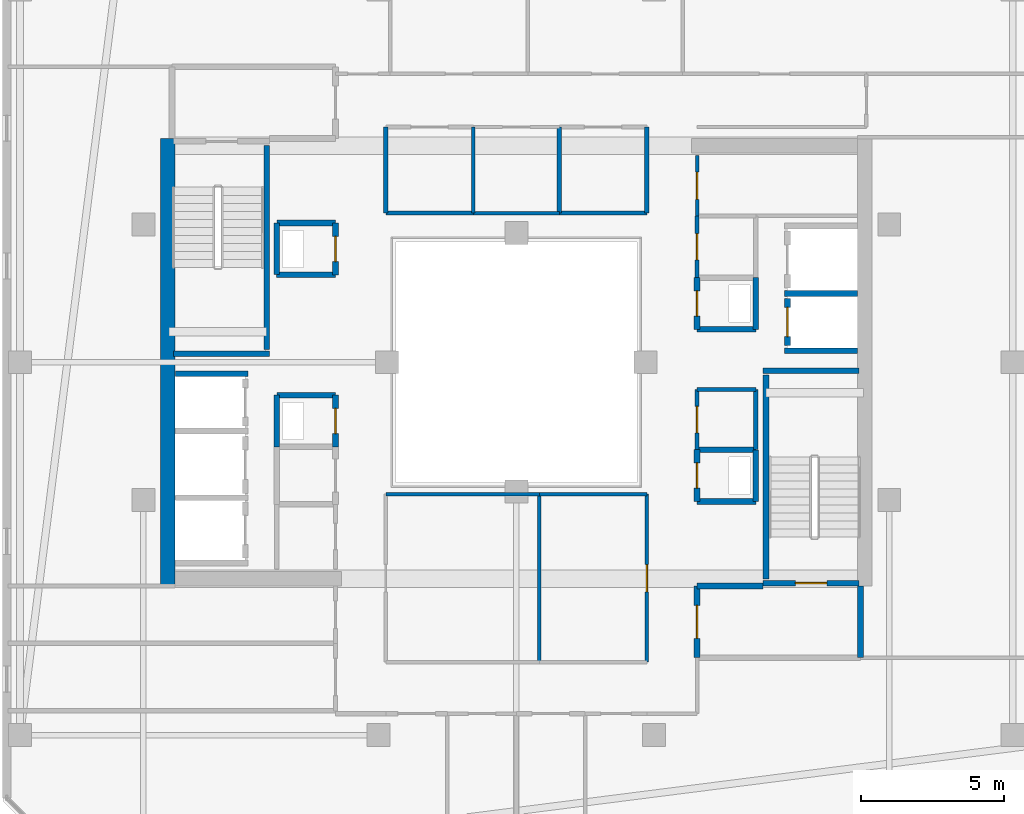
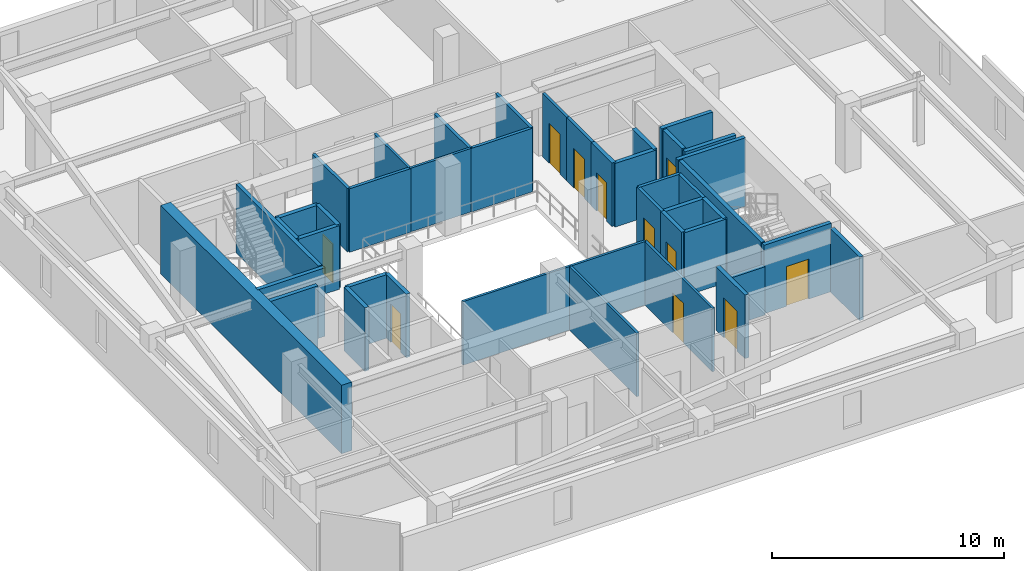
# One storey, part 26 of 35: 43 walls, 11 doors, 11 openings.
"""IFC4 building model written with IfcOpenShell, lengths in metres."""

import ifcopenshell
import ifcopenshell.guid

model = None  # the IFC model being written
_history = None  # IfcOwnerHistory: only IFC2X3 demands one
_inside = {}  # id of a spatial element -> (the spatial element, [elements in it])
_under = {}  # id of a project, library or spatial element -> (it, [spatial elements below it])
_declared = {}  # id of a project -> (the project, [libraries it declares])
_typed = {}  # id of a type object -> (the type object, [elements of that type])
_made_of = {}  # id of a material, layer set ... -> (it, [elements and type objects made of it])


def new_model(schema):
    """Start an empty IFC model of exactly this schema.

    Asked for "IFC4X3", IfcOpenShell would pick the latest addendum, in which some entities
    have other attributes; the version numbers below select the first issue.
    IFC2X3 requires an IfcOwnerHistory on every rooted entity: one is made here for all.
    """
    global model, _history
    if schema == "IFC4X3":
        model = ifcopenshell.file(schema_version=(4, 3, 0, 0))
    else:
        model = ifcopenshell.file(schema=schema)
    _inside.clear()
    _under.clear()
    _declared.clear()
    _typed.clear()
    _made_of.clear()
    _history = None
    if model.schema == "IFC2X3":
        org = make("IfcOrganization", Name="unknown")
        user = make(
            "IfcPersonAndOrganization",
            ThePerson=make("IfcPerson", FamilyName="unknown"),
            TheOrganization=org,
        )
        app = make(
            "IfcApplication",
            ApplicationDeveloper=org,
            Version="unknown",
            ApplicationFullName="unknown",
            ApplicationIdentifier="unknown",
        )
        _history = make(
            "IfcOwnerHistory",
            OwningUser=user,
            OwningApplication=app,
            ChangeAction="ADDED",
            CreationDate=0,
        )
    return model


def make(cls, **values):
    """One entity of the class cls with the attributes given. An attribute that is None is left unset."""
    return model.create_entity(
        cls, **{name: value for name, value in values.items() if value is not None}
    )


def rooted(cls, **values):
    """An entity with a GlobalId (a new one), such as an element, a storey or a relation."""
    return make(cls, GlobalId=ifcopenshell.guid.new(), OwnerHistory=_history, **values)


def si_unit(unit_type, name, prefix=None):
    """IfcSIUnit, for example si_unit("LENGTHUNIT", "METRE", prefix="MILLI")."""
    return make("IfcSIUnit", UnitType=unit_type, Prefix=prefix, Name=name)


def assignment(units):
    """IfcUnitAssignment: the units of a project."""
    return None if units is None else make("IfcUnitAssignment", Units=units)


def point(xyz):
    """IfcCartesianPoint."""
    return None if xyz is None else make("IfcCartesianPoint", Coordinates=xyz)


def direction(xyz):
    """IfcDirection."""
    return None if xyz is None else make("IfcDirection", DirectionRatios=xyz)


def frame(location, z_axis=None, x_axis=None):
    """IfcAxis2Placement3D, a coordinate frame: its origin and axes. An axis left out is left unset."""
    return make(
        "IfcAxis2Placement3D",
        Location=point(location),
        Axis=direction(z_axis),
        RefDirection=direction(x_axis),
    )


def frame_2d(location, x_axis=None):
    """IfcAxis2Placement2D, a coordinate frame in the plane: its origin and x axis."""
    return make(
        "IfcAxis2Placement2D", Location=point(location), RefDirection=direction(x_axis)
    )


def origin():
    """The frame at (0, 0, 0) with its axes left unset."""
    return frame((0.0, 0.0, 0.0))


def place(relative_to, where):
    """IfcLocalPlacement: puts the frame where relative to a parent placement (None: the world)."""
    return make(
        "IfcLocalPlacement", PlacementRelTo=relative_to, RelativePlacement=where
    )


def context(
    kind, dimensions, precision=None, world=None, true_north=None, identifier=None
):
    """IfcGeometricRepresentationContext, for example the 3D "Model" context."""
    return make(
        "IfcGeometricRepresentationContext",
        ContextIdentifier=identifier,
        ContextType=kind,
        CoordinateSpaceDimension=dimensions,
        Precision=precision,
        WorldCoordinateSystem=world,
        TrueNorth=true_north,
    )


def subcontext(parent, identifier, kind, view, scale=None):
    """IfcGeometricRepresentationSubContext, for example "Body" below "Model"."""
    return make(
        "IfcGeometricRepresentationSubContext",
        ContextIdentifier=identifier,
        ContextType=kind,
        ParentContext=parent,
        TargetScale=scale,
        TargetView=view,
    )


def project(units=None, contexts=None):
    """IfcProject with its units and contexts."""
    return rooted(
        "IfcProject",
        Name="project",
        RepresentationContexts=contexts,
        UnitsInContext=assignment(units),
    )


def spatial(cls, under=None, at=None, **own):
    """A site, building, storey or space (cls), placed at a placement, below another one or the project."""
    s = rooted(cls, ObjectPlacement=at, **own)
    if under is not None:
        _under.setdefault(under.id(), (under, []))[1].append(s)
    return s


def profile(cls, at=None, kind="AREA", **sizes):
    """A parametric profile (cls). Its sizes go by their IFC names, for example OverallWidth=200.0."""
    return make(cls, ProfileType=kind, Position=at, **sizes)


def rectangle(**sizes):
    """IfcRectangleProfileDef."""
    return profile("IfcRectangleProfileDef", **sizes)


def extrude(swept, where, along, depth):
    """IfcExtrudedAreaSolid: the profile swept, set in the frame where, extruded along a direction by depth."""
    return make(
        "IfcExtrudedAreaSolid",
        SweptArea=swept,
        Position=where,
        ExtrudedDirection=direction(along),
        Depth=depth,
    )


def shape(context_of_items, identifier, shape_type, items):
    """IfcShapeRepresentation: the items that make up one representation, for example the "Body"."""
    return make(
        "IfcShapeRepresentation",
        ContextOfItems=context_of_items,
        RepresentationIdentifier=identifier,
        RepresentationType=shape_type,
        Items=items,
    )


def material(Name=None, Category=None):
    """IfcMaterial."""
    return make("IfcMaterial", Name=Name, Category=Category)


def layer(
    of_material, thickness, ventilated=None, Name=None, Category=None, Priority=None
):
    """IfcMaterialLayer: one layer of a wall or slab, of a material (None: an air gap)."""
    return make(
        "IfcMaterialLayer",
        Material=of_material,
        LayerThickness=thickness,
        IsVentilated=ventilated,
        Name=Name,
        Category=Category,
        Priority=Priority,
    )


def layer_set(layers, Name=None):
    """IfcMaterialLayerSet."""
    return make("IfcMaterialLayerSet", MaterialLayers=layers, LayerSetName=Name)


def made_of(thing, what):
    """Note that an element or type object is made of a material, layer set ...; save() writes the relation."""
    if what is not None:
        _made_of.setdefault(what.id(), (what, []))[1].append(thing)
    return thing


def type_object(cls, material=None, **own):
    """A type object (cls), such as IfcWallType, which elements share."""
    return made_of(rooted(cls, **own), material)


def element(
    cls,
    number,
    at=None,
    inside=None,
    cuts=None,
    type_object=None,
    material=None,
    context=None,
    identifier="Body",
    shape_type=None,
    held_by="IfcProductDefinitionShape",
    body=None,
    shapes=None,
    **own,
):
    """One element of the class cls, such as IfcWall. Its Tag is "e" and its number.

    at: its placement. inside: the storey or other place that contains it. cuts: it is an
    opening in that element (IfcRelVoidsElement). A single representation is given by context,
    identifier, shape_type and body (its items); several are given by shapes. held_by: the class
    of the entity that holds the representations. save() writes the other relations.
    """
    e = rooted(cls, Tag="e%d" % number, ObjectPlacement=at, **own)
    if body is not None:
        shapes = [shape(context, identifier, shape_type, body)]
    if shapes is not None:
        e.Representation = make(held_by, Representations=shapes)
    if inside is not None:
        _inside.setdefault(inside.id(), (inside, []))[1].append(e)
    if cuts is not None:
        rooted(
            "IfcRelVoidsElement", RelatingBuildingElement=cuts, RelatedOpeningElement=e
        )
    if type_object is not None:
        _typed.setdefault(type_object.id(), (type_object, []))[1].append(e)
    return made_of(e, material)


def fill(opening, filler):
    """IfcRelFillsElement: the door or window that sits in an opening."""
    return rooted(
        "IfcRelFillsElement",
        RelatingOpeningElement=opening,
        RelatedBuildingElement=filler,
    )


def aggregate(whole, parts):
    """IfcRelAggregates: a whole, such as a stair, and the parts it consists of."""
    return rooted("IfcRelAggregates", RelatingObject=whole, RelatedObjects=parts)


def save(model, path):
    """Write the relations noted so far, then the file.

    IfcRelAggregates (storeys below a building ...), IfcRelContainedInSpatialStructure (elements
    in a storey), IfcRelDefinesByType, IfcRelAssociatesMaterial and IfcRelDeclares: one each for
    every whole, place, type object, material and project.
    """
    for whole, parts in _under.values():
        aggregate(whole, parts)
    for where, things in _inside.values():
        rooted(
            "IfcRelContainedInSpatialStructure",
            RelatedElements=things,
            RelatingStructure=where,
        )
    for kind, things in _typed.values():
        rooted("IfcRelDefinesByType", RelatedObjects=things, RelatingType=kind)
    for what, things in _made_of.values():
        rooted("IfcRelAssociatesMaterial", RelatedObjects=things, RelatingMaterial=what)
    for by, libraries in _declared.values():
        rooted("IfcRelDeclares", RelatingContext=by, RelatedDefinitions=libraries)
    model.write(path)


model = new_model("IFC4")

# Units and contexts
model_context = context("Model", 3, precision=1e-05, world=origin(), true_north=direction((0.0, 1.0)))
body_context = subcontext(model_context, "Body", "Model", "MODEL_VIEW")
ifc_project = project(units=[si_unit("LENGTHUNIT", "METRE"), si_unit("AREAUNIT", "SQUARE_METRE"), si_unit("VOLUMEUNIT", "CUBIC_METRE"), si_unit("PLANEANGLEUNIT", "RADIAN"), si_unit("MASSUNIT", "GRAM", prefix="KILO")], contexts=[model_context])

# Site, building, storey
site_placement = place(None, origin())
site = spatial("IfcSite", under=ifc_project, at=site_placement, CompositionType="ELEMENT")
building_placement = place(site_placement, origin())
building = spatial("IfcBuilding", under=site, at=building_placement, Name="Thornwick Lancets Civic Towers", CompositionType="ELEMENT")
storey_placement = place(building_placement, frame((0.0, 0.0, 272.699951171875)))
storey = spatial("IfcBuildingStorey", under=building, at=storey_placement, Name="L73", CompositionType="ELEMENT", Elevation=272.699951171875)

# Wall, opening, door
ifc_material_1 = material(Name="Concrete blockwork C40/50", Category="masonry")
ifc_layer_1 = layer(ifc_material_1, 0.199951171875, Name="Concrete blockwork C40/50")
ifc_layer_set_1 = layer_set([ifc_layer_1], Name="Concrete blockwork C40/50")
wall_type_1 = type_object("IfcWallType", Name="WALL_COMP_200", PredefinedType="STANDARD", material=ifc_layer_set_1)
wall_1_placement = place(storey_placement, frame((97.949951171875, 29.219970703125, 0.0), z_axis=(0.0, 0.0, 1.0), x_axis=(0.0, -1.0, 0.0)))
wall_1 = element("IfcWall", 1, at=wall_1_placement, inside=storey, type_object=wall_type_1, Name="L73 Hoistway Front Wall FL-B1", PredefinedType="STANDARD", context=body_context, shape_type="SweptSolid", body=[
    extrude(rectangle(XDim=1.639892578125, YDim=0.199951171875, at=frame_2d((0.81982421875, 0.0))), origin(), (0.0, 0.0, 1.0), 3.340087890625),
])
opening_1_placement = place(wall_1_placement, frame((0.31005859375, 0.0, 0.0)))
opening_1 = element("IfcOpeningElement", 2, at=opening_1_placement, cuts=wall_1, Name="Opening LD-FL-B1", PredefinedType="OPENING", context=body_context, shape_type="SweptSolid", body=[
    extrude(rectangle(XDim=1.02001953125, YDim=2.06005859375, at=frame_2d((0.510009765625, 1.030029296875))), frame((0.0, 0.10986328125, 0.0), z_axis=(0.0, -1.0, 0.0), x_axis=(1.0, 0.0, 0.0)), (0.0, 0.0, 1.0), 0.219970703125),
])
ifc_material_2 = material(Name="Brushed bronze stainless steel", Category="steel")
door_type_1 = type_object("IfcDoorType", Name="DOOR_LIFT_SLIDE", OperationType="SLIDING_TO_LEFT", PredefinedType="DOOR", material=ifc_material_2)
door_1_placement = place(opening_1_placement, origin())
door_1 = element("IfcDoor", 3, at=door_1_placement, inside=storey, type_object=door_type_1, Name="L73 Sliding Lift Landing Door LD-FL-B1", OperationType="SLIDING_TO_LEFT", OverallHeight=2.06005859375, OverallWidth=1.02001953125, PredefinedType="DOOR", context=body_context, shape_type="SweptSolid", body=[
    extrude(rectangle(XDim=1.02001953125, YDim=2.06005859375, at=frame_2d((0.510009765625, 1.030029296875))), frame((0.0, 0.02490234375, 0.0), z_axis=(0.0, -1.0, 0.0), x_axis=(1.0, 0.0, 0.0)), (0.0, 0.0, 1.0), 0.050048828125),
])
fill(opening_1, door_1)

# Walls
for number, where, z_axis, x_axis, name in (
    (4, (97.85205078125, 29.39990234375, 0.0), (0.0, 0.0, 1.0), (1.0, 0.0, 0.0), "L73 Hoistway Shaft Wall FL-B1 N"),
    (5, (97.85205078125, 27.39990234375, 0.0), (0.0, 0.0, 1.0), (1.0, 0.0, 0.0), "L73 Hoistway Shaft Wall FL-B1 S"),
    (6, (76.612060546875, 26.60009765625, 0.0), (0.0, 0.0, 1.0), (1.0, 0.0, 0.0), "L73 Hoistway Shaft Wall FL-B2 N"),
):
    element("IfcWall", number, at=place(storey_placement, frame(where, z_axis=z_axis, x_axis=x_axis)), inside=storey, type_object=wall_type_1, Name=name, PredefinedType="STANDARD", context=body_context, shape_type="SweptSolid", body=[
        extrude(rectangle(XDim=2.535888671875, YDim=0.199951171875, at=frame_2d((1.26806640625, 0.0))), origin(), (0.0, 0.0, 1.0), 3.340087890625),
    ])
wall_2_placement = place(storey_placement, frame((100.5, 16.699951171875, 0.0), z_axis=(0.0, 0.0, 1.0), x_axis=(0.0, 1.0, 0.0)))
element("IfcWall", 7, at=wall_2_placement, inside=storey, type_object=wall_type_1, Name="L73 Partition L73-B-FFLOB1 E2", PredefinedType="STANDARD", context=body_context, shape_type="SweptSolid", body=[
    extrude(rectangle(XDim=2.5, YDim=0.199951171875, at=frame_2d((1.25, 0.0))), origin(), (0.0, 0.0, 1.0), 3.340087890625),
])
wall_3_placement = place(storey_placement, frame((97.10009765625, 19.199951171875, 0.0), z_axis=(0.0, 0.0, 1.0), x_axis=(-1.0, 0.0, 0.0)))
element("IfcWall", 8, at=wall_3_placement, inside=storey, type_object=wall_type_1, Name="L73 Partition L73-B-FFLOB1 E3", PredefinedType="STANDARD", context=body_context, shape_type="SweptSolid", body=[
    extrude(rectangle(XDim=2.300048828125, YDim=0.199951171875, at=frame_2d((1.14990234375, 0.0))), origin(), (0.0, 0.0, 1.0), 2.545166015625),
])

# Wall, opening, door
wall_4_placement = place(storey_placement, frame((94.800048828125, 19.199951171875, 0.0), z_axis=(0.0, 0.0, 1.0), x_axis=(0.0, -1.0, 0.0)))
wall_4 = element("IfcWall", 9, at=wall_4_placement, inside=storey, type_object=wall_type_1, Name="L73 Partition L73-B-FFLOB1 E4", PredefinedType="STANDARD", context=body_context, shape_type="SweptSolid", body=[
    extrude(rectangle(XDim=2.5, YDim=0.199951171875, at=frame_2d((1.25, 0.0))), origin(), (0.0, 0.0, 1.0), 3.340087890625),
])
opening_2_placement = place(wall_4_placement, frame((0.675048828125, 0.0, 0.0)))
opening_2 = element("IfcOpeningElement", 10, at=opening_2_placement, cuts=wall_4, Name="Opening D-L73-3338", PredefinedType="OPENING", context=body_context, shape_type="SweptSolid", body=[
    extrude(rectangle(XDim=1.14990234375, YDim=2.10009765625, at=frame_2d((0.574951171875, 1.050048828125))), frame((0.0, 0.10986328125, 0.0), z_axis=(0.0, -1.0, 0.0), x_axis=(1.0, 0.0, 0.0)), (0.0, 0.0, 1.0), 0.219970703125),
])
ifc_material_3 = material(Name="Glazed fire-resisting steel", Category="steel")
door_type_2 = type_object("IfcDoorType", Name="DOOR_LOBBY_FD60", OperationType="NOTDEFINED", PredefinedType="DOOR", material=ifc_material_3)
door_2_placement = place(opening_2_placement, origin())
door_2 = element("IfcDoor", 11, at=door_2_placement, inside=storey, type_object=door_type_2, Name="L73 East Firefighting Lobby 1 Door", OperationType="SINGLE_SWING_LEFT", OverallHeight=2.10009765625, OverallWidth=1.14990234375, PredefinedType="DOOR", context=body_context, shape_type="SweptSolid", body=[
    extrude(rectangle(XDim=1.14990234375, YDim=2.10009765625, at=frame_2d((0.574951171875, 1.050048828125))), frame((0.0, 0.02490234375, 0.0), z_axis=(0.0, -1.0, 0.0), x_axis=(1.0, 0.0, 0.0)), (0.0, 0.0, 1.0), 0.050048828125),
])
fill(opening_2, door_2)

# Walls
wall_5_placement = place(storey_placement, frame((94.800048828125, 28.14990234375, 0.0), z_axis=(0.0, 0.0, 1.0), x_axis=(1.0, 0.0, 0.0)))
element("IfcWall", 12, at=wall_5_placement, inside=storey, type_object=wall_type_1, Name="L73 Partition L73-B-DUCT1 E1", PredefinedType="STANDARD", context=body_context, shape_type="SweptSolid", body=[
    extrude(rectangle(XDim=2.050048828125, YDim=0.199951171875, at=frame_2d((1.02490234375, 0.0))), origin(), (0.0, 0.0, 1.0), 3.340087890625),
])
wall_6_placement = place(storey_placement, frame((96.85009765625, 28.14990234375, 0.0), z_axis=(0.0, 0.0, 1.0), x_axis=(0.0, 1.0, 0.0)))
element("IfcWall", 13, at=wall_6_placement, inside=storey, type_object=wall_type_1, Name="L73 Partition L73-B-DUCT1 E2", PredefinedType="STANDARD", context=body_context, shape_type="SweptSolid", body=[
    extrude(rectangle(XDim=1.800048828125, YDim=0.199951171875, at=frame_2d((0.89990234375, 0.0))), origin(), (0.0, 0.0, 1.0), 3.340087890625),
])

# Wall, opening, door
wall_7_placement = place(storey_placement, frame((94.800048828125, 29.949951171875, 0.0), z_axis=(0.0, 0.0, 1.0), x_axis=(0.0, -1.0, 0.0)))
wall_7 = element("IfcWall", 14, at=wall_7_placement, inside=storey, type_object=wall_type_1, Name="L73 Partition L73-B-DUCT1 E4", PredefinedType="STANDARD", context=body_context, shape_type="SweptSolid", body=[
    extrude(rectangle(XDim=1.800048828125, YDim=0.199951171875, at=frame_2d((0.89990234375, 0.0))), origin(), (0.0, 0.0, 1.0), 3.340087890625),
])
opening_3_placement = place(wall_7_placement, frame((0.4599609375, 0.0, 0.0)))
opening_3 = element("IfcOpeningElement", 15, at=opening_3_placement, cuts=wall_7, Name="Opening D-L73-3340", PredefinedType="OPENING", context=body_context, shape_type="SweptSolid", body=[
    extrude(rectangle(XDim=0.8798828125, YDim=2.0400390625, at=frame_2d((0.43994140625, 1.02001953125))), frame((0.0, 0.10986328125, 0.0), z_axis=(0.0, -1.0, 0.0), x_axis=(1.0, 0.0, 0.0)), (0.0, 0.0, 1.0), 0.219970703125),
])
ifc_material_4 = material(Name="Steel riser access doorset", Category="steel")
door_type_3 = type_object("IfcDoorType", Name="DOOR_RISER_850", OperationType="NOTDEFINED", PredefinedType="DOOR", material=ifc_material_4)
door_3_placement = place(opening_3_placement, origin())
door_3 = element("IfcDoor", 16, at=door_3_placement, inside=storey, type_object=door_type_3, Name="L73 East Service Duct 1 Door", OperationType="SINGLE_SWING_LEFT", OverallHeight=2.0400390625, OverallWidth=0.8798828125, PredefinedType="DOOR", context=body_context, shape_type="SweptSolid", body=[
    extrude(rectangle(XDim=0.8798828125, YDim=2.0400390625, at=frame_2d((0.43994140625, 1.02001953125))), frame((0.0, 0.02490234375, 0.0), z_axis=(0.0, -1.0, 0.0), x_axis=(1.0, 0.0, 0.0)), (0.0, 0.0, 1.0), 0.050048828125),
])
fill(opening_3, door_3)

# Walls
wall_8_placement = place(storey_placement, frame((94.800048828125, 22.14990234375, 0.0), z_axis=(0.0, 0.0, 1.0), x_axis=(1.0, 0.0, 0.0)))
element("IfcWall", 17, at=wall_8_placement, inside=storey, type_object=wall_type_1, Name="L73 Partition L73-B-RISER1 E1", PredefinedType="STANDARD", context=body_context, shape_type="SweptSolid", body=[
    extrude(rectangle(XDim=2.050048828125, YDim=0.199951171875, at=frame_2d((1.02490234375, 0.0))), origin(), (0.0, 0.0, 1.0), 3.340087890625),
])
wall_9_placement = place(storey_placement, frame((96.85009765625, 22.14990234375, 0.0), z_axis=(0.0, 0.0, 1.0), x_axis=(0.0, 1.0, 0.0)))
element("IfcWall", 18, at=wall_9_placement, inside=storey, type_object=wall_type_1, Name="L73 Partition L73-B-RISER1 E2", PredefinedType="STANDARD", context=body_context, shape_type="SweptSolid", body=[
    extrude(rectangle(XDim=1.800048828125, YDim=0.199951171875, at=frame_2d((0.89990234375, 0.0))), origin(), (0.0, 0.0, 1.0), 3.340087890625),
])
wall_10_placement = place(storey_placement, frame((96.85009765625, 23.949951171875, 0.0), z_axis=(0.0, 0.0, 1.0), x_axis=(-1.0, 0.0, 0.0)))
element("IfcWall", 19, at=wall_10_placement, inside=storey, type_object=wall_type_1, Name="L73 Partition L73-B-RISER1 E3", PredefinedType="STANDARD", context=body_context, shape_type="SweptSolid", body=[
    extrude(rectangle(XDim=2.050048828125, YDim=0.199951171875, at=frame_2d((1.02490234375, 0.0))), origin(), (0.0, 0.0, 1.0), 3.340087890625),
])

# Wall, opening, door
wall_11_placement = place(storey_placement, frame((94.800048828125, 23.949951171875, 0.0), z_axis=(0.0, 0.0, 1.0), x_axis=(0.0, -1.0, 0.0)))
wall_11 = element("IfcWall", 20, at=wall_11_placement, inside=storey, type_object=wall_type_1, Name="L73 Partition L73-B-RISER1 E4", PredefinedType="STANDARD", context=body_context, shape_type="SweptSolid", body=[
    extrude(rectangle(XDim=1.800048828125, YDim=0.199951171875, at=frame_2d((0.89990234375, 0.0))), origin(), (0.0, 0.0, 1.0), 3.340087890625),
])
opening_4_placement = place(wall_11_placement, frame((0.4599609375, 0.0, 0.0)))
opening_4 = element("IfcOpeningElement", 21, at=opening_4_placement, cuts=wall_11, Name="Opening D-L73-3341", PredefinedType="OPENING", context=body_context, shape_type="SweptSolid", body=[
    extrude(rectangle(XDim=0.8798828125, YDim=2.0400390625, at=frame_2d((0.43994140625, 1.02001953125))), frame((0.0, 0.10986328125, 0.0), z_axis=(0.0, -1.0, 0.0), x_axis=(1.0, 0.0, 0.0)), (0.0, 0.0, 1.0), 0.219970703125),
])
door_4_placement = place(opening_4_placement, origin())
door_4 = element("IfcDoor", 22, at=door_4_placement, inside=storey, type_object=door_type_3, Name="L73 East Electrical Riser 1 Door", OperationType="SINGLE_SWING_RIGHT", OverallHeight=2.0400390625, OverallWidth=0.8798828125, PredefinedType="DOOR", context=body_context, shape_type="SweptSolid", body=[
    extrude(rectangle(XDim=0.8798828125, YDim=2.0400390625, at=frame_2d((0.43994140625, 1.02001953125))), frame((0.0, 0.02490234375, 0.0), z_axis=(0.0, -1.0, 0.0), x_axis=(1.0, 0.0, 0.0)), (0.0, 0.0, 1.0), 0.050048828125),
])
fill(opening_4, door_4)

wall_12_placement = place(storey_placement, frame((82.199951171875, 24.050048828125, 0.0), z_axis=(0.0, 0.0, 1.0), x_axis=(0.0, 1.0, 0.0)))
wall_12 = element("IfcWall", 23, at=wall_12_placement, inside=storey, type_object=wall_type_1, Name="L73 Partition L73-B-DUCT2 E2", PredefinedType="STANDARD", context=body_context, shape_type="SweptSolid", body=[
    extrude(rectangle(XDim=1.800048828125, YDim=0.199951171875, at=frame_2d((0.89990234375, 0.0))), origin(), (0.0, 0.0, 1.0), 3.340087890625),
])
opening_5_placement = place(wall_12_placement, frame((0.4599609375, 0.0, 0.0)))
opening_5 = element("IfcOpeningElement", 24, at=opening_5_placement, cuts=wall_12, Name="Opening D-L73-3342", PredefinedType="OPENING", context=body_context, shape_type="SweptSolid", body=[
    extrude(rectangle(XDim=0.8798828125, YDim=2.0400390625, at=frame_2d((0.43994140625, 1.02001953125))), frame((0.0, 0.10986328125, 0.0), z_axis=(0.0, -1.0, 0.0), x_axis=(1.0, 0.0, 0.0)), (0.0, 0.0, 1.0), 0.219970703125),
])
door_5_placement = place(opening_5_placement, origin())
door_5 = element("IfcDoor", 25, at=door_5_placement, inside=storey, type_object=door_type_3, Name="L73 West Service Duct 2 Door", OperationType="SINGLE_SWING_LEFT", OverallHeight=2.0400390625, OverallWidth=0.8798828125, PredefinedType="DOOR", context=body_context, shape_type="SweptSolid", body=[
    extrude(rectangle(XDim=0.8798828125, YDim=2.0400390625, at=frame_2d((0.43994140625, 1.02001953125))), frame((0.0, 0.02490234375, 0.0), z_axis=(0.0, -1.0, 0.0), x_axis=(1.0, 0.0, 0.0)), (0.0, 0.0, 1.0), 0.050048828125),
])
fill(opening_5, door_5)

# Walls
wall_13_placement = place(storey_placement, frame((82.199951171875, 25.85009765625, 0.0), z_axis=(0.0, 0.0, 1.0), x_axis=(-1.0, 0.0, 0.0)))
element("IfcWall", 26, at=wall_13_placement, inside=storey, type_object=wall_type_1, Name="L73 Partition L73-B-DUCT2 E3", PredefinedType="STANDARD", context=body_context, shape_type="SweptSolid", body=[
    extrude(rectangle(XDim=2.050048828125, YDim=0.199951171875, at=frame_2d((1.02490234375, 0.0))), origin(), (0.0, 0.0, 1.0), 3.340087890625),
])
wall_14_placement = place(storey_placement, frame((80.14990234375, 25.85009765625, 0.0), z_axis=(0.0, 0.0, 1.0), x_axis=(0.0, -1.0, 0.0)))
element("IfcWall", 27, at=wall_14_placement, inside=storey, type_object=wall_type_1, Name="L73 Partition L73-B-DUCT2 E4", PredefinedType="STANDARD", context=body_context, shape_type="SweptSolid", body=[
    extrude(rectangle(XDim=1.800048828125, YDim=0.199951171875, at=frame_2d((0.89990234375, 0.0))), origin(), (0.0, 0.0, 1.0), 3.340087890625),
])
wall_15_placement = place(storey_placement, frame((80.14990234375, 30.050048828125, 0.0), z_axis=(0.0, 0.0, 1.0), x_axis=(1.0, 0.0, 0.0)))
element("IfcWall", 28, at=wall_15_placement, inside=storey, type_object=wall_type_1, Name="L73 Partition L73-B-RISER2 E1", PredefinedType="STANDARD", context=body_context, shape_type="SweptSolid", body=[
    extrude(rectangle(XDim=2.050048828125, YDim=0.199951171875, at=frame_2d((1.02490234375, 0.0))), origin(), (0.0, 0.0, 1.0), 3.340087890625),
])

# Wall, opening, door
wall_16_placement = place(storey_placement, frame((82.199951171875, 30.050048828125, 0.0), z_axis=(0.0, 0.0, 1.0), x_axis=(0.0, 1.0, 0.0)))
wall_16 = element("IfcWall", 29, at=wall_16_placement, inside=storey, type_object=wall_type_1, Name="L73 Partition L73-B-RISER2 E2", PredefinedType="STANDARD", context=body_context, shape_type="SweptSolid", body=[
    extrude(rectangle(XDim=1.800048828125, YDim=0.199951171875, at=frame_2d((0.89990234375, 0.0))), origin(), (0.0, 0.0, 1.0), 3.340087890625),
])
opening_6_placement = place(wall_16_placement, frame((0.4599609375, 0.0, 0.0)))
opening_6 = element("IfcOpeningElement", 30, at=opening_6_placement, cuts=wall_16, Name="Opening D-L73-3343", PredefinedType="OPENING", context=body_context, shape_type="SweptSolid", body=[
    extrude(rectangle(XDim=0.8798828125, YDim=2.0400390625, at=frame_2d((0.43994140625, 1.02001953125))), frame((0.0, 0.10986328125, 0.0), z_axis=(0.0, -1.0, 0.0), x_axis=(1.0, 0.0, 0.0)), (0.0, 0.0, 1.0), 0.219970703125),
])
door_6_placement = place(opening_6_placement, origin())
door_6 = element("IfcDoor", 31, at=door_6_placement, inside=storey, type_object=door_type_3, Name="L73 West Service Riser 2 Door", OperationType="SINGLE_SWING_RIGHT", OverallHeight=2.0400390625, OverallWidth=0.8798828125, PredefinedType="DOOR", context=body_context, shape_type="SweptSolid", body=[
    extrude(rectangle(XDim=0.8798828125, YDim=2.0400390625, at=frame_2d((0.43994140625, 1.02001953125))), frame((0.0, 0.02490234375, 0.0), z_axis=(0.0, -1.0, 0.0), x_axis=(1.0, 0.0, 0.0)), (0.0, 0.0, 1.0), 0.050048828125),
])
fill(opening_6, door_6)

# Walls
wall_17_placement = place(storey_placement, frame((82.199951171875, 31.85009765625, 0.0), z_axis=(0.0, 0.0, 1.0), x_axis=(-1.0, 0.0, 0.0)))
element("IfcWall", 32, at=wall_17_placement, inside=storey, type_object=wall_type_1, Name="L73 Partition L73-B-RISER2 E3", PredefinedType="STANDARD", context=body_context, shape_type="SweptSolid", body=[
    extrude(rectangle(XDim=2.050048828125, YDim=0.199951171875, at=frame_2d((1.02490234375, 0.0))), origin(), (0.0, 0.0, 1.0), 3.340087890625),
])
wall_18_placement = place(storey_placement, frame((80.14990234375, 31.85009765625, 0.0), z_axis=(0.0, 0.0, 1.0), x_axis=(0.0, -1.0, 0.0)))
element("IfcWall", 33, at=wall_18_placement, inside=storey, type_object=wall_type_1, Name="L73 Partition L73-B-RISER2 E4", PredefinedType="STANDARD", context=body_context, shape_type="SweptSolid", body=[
    extrude(rectangle(XDim=1.800048828125, YDim=0.199951171875, at=frame_2d((0.89990234375, 0.0))), origin(), (0.0, 0.0, 1.0), 3.340087890625),
])
ifc_material_5 = material(Name="Concrete C50/60", Category="concrete")
ifc_layer_2 = layer(ifc_material_5, 0.5, Name="Concrete C50/60")
ifc_layer_set_2 = layer_set([ifc_layer_2], Name="Concrete C50/60")
wall_type_2 = type_object("IfcWallType", Name="WALL_CORE_500", PredefinedType="SHEAR", material=ifc_layer_set_2)
wall_19_placement = place(storey_placement, frame((76.35009765625, 19.199951171875, 0.0), z_axis=(0.0, 0.0, 1.0), x_axis=(0.0, 1.0, 0.0)))
element("IfcWall", 34, at=wall_19_placement, inside=storey, type_object=wall_type_2, Name="L73 Split Core B2 Shear Wall W", PredefinedType="SHEAR", context=body_context, shape_type="SweptSolid", body=[
    extrude(rectangle(XDim=15.60009765625, YDim=0.5, at=frame_2d((7.800048828125, 0.0))), origin(), (0.0, 0.0, 1.0), 3.60009765625),
])

# Wall, opening, door
ifc_material_6 = material(Name="Acoustic gypsum board partition")
ifc_layer_3 = layer(ifc_material_6, 0.1201171875, Name="Acoustic gypsum board partition")
ifc_layer_set_3 = layer_set([ifc_layer_3], Name="Acoustic gypsum board partition")
wall_type_3 = type_object("IfcWallType", Name="WALL_PART_120", PredefinedType="PARTITIONING", material=ifc_layer_set_3)
wall_20_placement = place(storey_placement, frame((94.800048828125, 32.10009765625, 0.0), z_axis=(0.0, 0.0, 1.0), x_axis=(0.0, 1.0, 0.0)))
wall_20 = element("IfcWall", 35, at=wall_20_placement, inside=storey, type_object=wall_type_3, Name="L73 Partition L73-B-ITR E1", PredefinedType="PARTITIONING", context=body_context, shape_type="SweptSolid", body=[
    extrude(rectangle(XDim=2.099853515625, YDim=0.1201171875, at=frame_2d((1.0498046875, 0.0))), origin(), (0.0, 0.0, 1.0), 3.340087890625),
])
opening_7_placement = place(wall_20_placement, frame((0.574951171875, 0.0, 0.0)))
opening_7 = element("IfcOpeningElement", 36, at=opening_7_placement, cuts=wall_20, Name="Opening D-L73-3346", PredefinedType="OPENING", context=body_context, shape_type="SweptSolid", body=[
    extrude(rectangle(XDim=0.949951171875, YDim=2.10009765625, at=frame_2d((0.47509765625, 1.050048828125))), frame((0.0, 0.070068359375, 0.0), z_axis=(0.0, -1.0, 0.0), x_axis=(1.0, 0.0, 0.0)), (0.0, 0.0, 1.0), 0.14013671875),
])
ifc_material_7 = material(Name="European oak acoustic doorset")
door_type_4 = type_object("IfcDoorType", Name="DOOR_OFFICE_950", OperationType="NOTDEFINED", PredefinedType="DOOR", material=ifc_material_7)
door_7_placement = place(opening_7_placement, origin())
door_7 = element("IfcDoor", 37, at=door_7_placement, inside=storey, type_object=door_type_4, Name="L73 Tower B Comms Patch Room Door", OperationType="SINGLE_SWING_LEFT", OverallHeight=2.10009765625, OverallWidth=0.949951171875, PredefinedType="DOOR", context=body_context, shape_type="SweptSolid", body=[
    extrude(rectangle(XDim=0.949951171875, YDim=2.10009765625, at=frame_2d((0.47509765625, 1.050048828125))), frame((0.0, 0.02490234375, 0.0), z_axis=(0.0, -1.0, 0.0), x_axis=(1.0, 0.0, 0.0)), (0.0, 0.0, 1.0), 0.050048828125),
])
fill(opening_7, door_7)

# Walls
wall_21_placement = place(storey_placement, frame((89.300048828125, 16.550048828125, 0.0), z_axis=(0.0, 0.0, 1.0), x_axis=(0.0, 1.0, 0.0)))
element("IfcWall", 38, at=wall_21_placement, inside=storey, type_object=wall_type_3, Name="L73 Partition L73-B-W3 E1", PredefinedType="PARTITIONING", context=body_context, shape_type="SweptSolid", body=[
    extrude(rectangle(XDim=5.849853515625, YDim=0.1201171875, at=frame_2d((2.9248046875, 0.0))), origin(), (0.0, 0.0, 1.0), 3.340087890625),
])
wall_22_placement = place(storey_placement, frame((89.300048828125, 22.39990234375, 0.0), z_axis=(0.0, 0.0, 1.0), x_axis=(1.0, 0.0, 0.0)))
element("IfcWall", 39, at=wall_22_placement, inside=storey, type_object=wall_type_3, Name="L73 Partition L73-B-W3 E2", PredefinedType="PARTITIONING", context=body_context, shape_type="SweptSolid", body=[
    extrude(rectangle(XDim=3.75, YDim=0.1201171875, at=frame_2d((1.875, 0.0))), origin(), (0.0, 0.0, 1.0), 3.340087890625),
])

# Wall, opening, door
wall_23_placement = place(storey_placement, frame((93.050048828125, 22.39990234375, 0.0), z_axis=(0.0, 0.0, 1.0), x_axis=(0.0, -1.0, 0.0)))
wall_23 = element("IfcWall", 40, at=wall_23_placement, inside=storey, type_object=wall_type_3, Name="L73 Partition L73-B-W3 E3", PredefinedType="PARTITIONING", context=body_context, shape_type="SweptSolid", body=[
    extrude(rectangle(XDim=5.849853515625, YDim=0.1201171875, at=frame_2d((2.9248046875, 0.0))), origin(), (0.0, 0.0, 1.0), 3.340087890625),
])
opening_8_placement = place(wall_23_placement, frame((2.449951171875, 0.0, 0.0)))
opening_8 = element("IfcOpeningElement", 41, at=opening_8_placement, cuts=wall_23, Name="Opening D-L73-3372", PredefinedType="OPENING", context=body_context, shape_type="SweptSolid", body=[
    extrude(rectangle(XDim=0.949951171875, YDim=2.10009765625, at=frame_2d((0.47509765625, 1.050048828125))), frame((0.0, 0.070068359375, 0.0), z_axis=(0.0, -1.0, 0.0), x_axis=(1.0, 0.0, 0.0)), (0.0, 0.0, 1.0), 0.14013671875),
])
door_8_placement = place(opening_8_placement, origin())
door_8 = element("IfcDoor", 42, at=door_8_placement, inside=storey, type_object=door_type_4, Name="L73 Tower B Staff Tea Pantry and Lounge Door", OperationType="SINGLE_SWING_LEFT", OverallHeight=2.10009765625, OverallWidth=0.949951171875, PredefinedType="DOOR", context=body_context, shape_type="SweptSolid", body=[
    extrude(rectangle(XDim=0.949951171875, YDim=2.10009765625, at=frame_2d((0.47509765625, 1.050048828125))), frame((0.0, 0.02490234375, 0.0), z_axis=(0.0, -1.0, 0.0), x_axis=(1.0, 0.0, 0.0)), (0.0, 0.0, 1.0), 0.050048828125),
])
fill(opening_8, door_8)

# Walls
wall_24_placement = place(storey_placement, frame((83.949951171875, 22.39990234375, 0.0), z_axis=(0.0, 0.0, 1.0), x_axis=(1.0, 0.0, 0.0)))
element("IfcWall", 43, at=wall_24_placement, inside=storey, type_object=wall_type_3, Name="L73 Partition L73-B-W4 E2", PredefinedType="PARTITIONING", context=body_context, shape_type="SweptSolid", body=[
    extrude(rectangle(XDim=5.35009765625, YDim=0.1201171875, at=frame_2d((2.675048828125, 0.0))), origin(), (0.0, 0.0, 1.0), 3.340087890625),
])
for number, where, z_axis, x_axis, name in (
    (44, (87.0, 32.199951171875, 0.0), (0.0, 0.0, 1.0), (0.0, 1.0, 0.0), "L73 Partition L73-B-E-ATR-2 E1"),
    (45, (90.0, 32.199951171875, 0.0), (0.0, 0.0, 1.0), (-1.0, 0.0, 0.0), "L73 Partition L73-B-E-ATR-2 E4"),
):
    element("IfcWall", number, at=place(storey_placement, frame(where, z_axis=z_axis, x_axis=x_axis)), inside=storey, type_object=wall_type_3, Name=name, PredefinedType="PARTITIONING", context=body_context, shape_type="SweptSolid", body=[
        extrude(rectangle(XDim=3.0, YDim=0.1201171875, at=frame_2d((1.5, 0.0))), origin(), (0.0, 0.0, 1.0), 3.340087890625),
    ])

# Wall, opening, door
ifc_material_8 = material(Name="Twin-stud acoustic gypsum board")
ifc_layer_4 = layer(ifc_material_8, 0.14990234375, Name="Twin-stud acoustic gypsum board")
ifc_layer_set_4 = layer_set([ifc_layer_4], Name="Twin-stud acoustic gypsum board")
wall_type_4 = type_object("IfcWallType", Name="WALL_PART_150", PredefinedType="PARTITIONING", material=ifc_layer_set_4)
wall_25_placement = place(storey_placement, frame((94.800048828125, 23.949951171875, 0.0), z_axis=(0.0, 0.0, 1.0), x_axis=(0.0, 1.0, 0.0)))
wall_25 = element("IfcWall", 46, at=wall_25_placement, inside=storey, type_object=wall_type_4, Name="L73 Partition L73-B-MWC E1", PredefinedType="PARTITIONING", context=body_context, shape_type="SweptSolid", body=[
    extrude(rectangle(XDim=2.10009765625, YDim=0.14990234375, at=frame_2d((1.050048828125, 0.0))), origin(), (0.0, 0.0, 1.0), 3.340087890625),
])
opening_9_placement = place(wall_25_placement, frame((0.590087890625, 0.0, 0.0)))
opening_9 = element("IfcOpeningElement", 47, at=opening_9_placement, cuts=wall_25, Name="Opening D-L73-3344", PredefinedType="OPENING", context=body_context, shape_type="SweptSolid", body=[
    extrude(rectangle(XDim=0.919921875, YDim=2.080078125, at=frame_2d((0.4599609375, 1.0400390625))), frame((0.0, 0.0849609375, 0.0), z_axis=(0.0, -1.0, 0.0), x_axis=(1.0, 0.0, 0.0)), (0.0, 0.0, 1.0), 0.169921875),
])
ifc_material_9 = material(Name="Moisture-resistant oak doorset")
door_type_5 = type_object("IfcDoorType", Name="DOOR_WC_900", OperationType="NOTDEFINED", PredefinedType="DOOR", material=ifc_material_9)
door_9_placement = place(opening_9_placement, origin())
door_9 = element("IfcDoor", 48, at=door_9_placement, inside=storey, type_object=door_type_5, Name="L73 Tower B Male WC Door", OperationType="SINGLE_SWING_LEFT", OverallHeight=2.080078125, OverallWidth=0.919921875, PredefinedType="DOOR", context=body_context, shape_type="SweptSolid", body=[
    extrude(rectangle(XDim=0.919921875, YDim=2.080078125, at=frame_2d((0.4599609375, 1.0400390625))), frame((0.0, 0.02490234375, 0.0), z_axis=(0.0, -1.0, 0.0), x_axis=(1.0, 0.0, 0.0)), (0.0, 0.0, 1.0), 0.050048828125),
])
fill(opening_9, door_9)

# Walls
wall_26_placement = place(storey_placement, frame((94.800048828125, 26.050048828125, 0.0), z_axis=(0.0, 0.0, 1.0), x_axis=(1.0, 0.0, 0.0)))
element("IfcWall", 49, at=wall_26_placement, inside=storey, type_object=wall_type_4, Name="L73 Partition L73-B-MWC E2", PredefinedType="PARTITIONING", context=body_context, shape_type="SweptSolid", body=[
    extrude(rectangle(XDim=2.050048828125, YDim=0.14990234375, at=frame_2d((1.02490234375, 0.0))), origin(), (0.0, 0.0, 1.0), 3.340087890625),
])
wall_27_placement = place(storey_placement, frame((96.85009765625, 26.050048828125, 0.0), z_axis=(0.0, 0.0, 1.0), x_axis=(0.0, -1.0, 0.0)))
element("IfcWall", 50, at=wall_27_placement, inside=storey, type_object=wall_type_4, Name="L73 Partition L73-B-MWC E3", PredefinedType="PARTITIONING", context=body_context, shape_type="SweptSolid", body=[
    extrude(rectangle(XDim=2.10009765625, YDim=0.14990234375, at=frame_2d((1.050048828125, 0.0))), origin(), (0.0, 0.0, 1.0), 3.340087890625),
])

# Wall, opening, door
wall_28_placement = place(storey_placement, frame((94.800048828125, 29.949951171875, 0.0), z_axis=(0.0, 0.0, 1.0), x_axis=(0.0, 1.0, 0.0)))
wall_28 = element("IfcWall", 51, at=wall_28_placement, inside=storey, type_object=wall_type_4, Name="L73 Partition L73-B-FWC E1", PredefinedType="PARTITIONING", context=body_context, shape_type="SweptSolid", body=[
    extrude(rectangle(XDim=2.150146484375, YDim=0.14990234375, at=frame_2d((1.0751953125, 0.0))), origin(), (0.0, 0.0, 1.0), 3.340087890625),
])
opening_10_placement = place(wall_28_placement, frame((0.614990234375, 0.0, 0.0)))
opening_10 = element("IfcOpeningElement", 52, at=opening_10_placement, cuts=wall_28, Name="Opening D-L73-3345", PredefinedType="OPENING", context=body_context, shape_type="SweptSolid", body=[
    extrude(rectangle(XDim=0.919921875, YDim=2.080078125, at=frame_2d((0.4599609375, 1.0400390625))), frame((0.0, 0.0849609375, 0.0), z_axis=(0.0, -1.0, 0.0), x_axis=(1.0, 0.0, 0.0)), (0.0, 0.0, 1.0), 0.169921875),
])
door_10_placement = place(opening_10_placement, origin())
door_10 = element("IfcDoor", 53, at=door_10_placement, inside=storey, type_object=door_type_5, Name="L73 Tower B Female WC Door", OperationType="SINGLE_SWING_RIGHT", OverallHeight=2.080078125, OverallWidth=0.919921875, PredefinedType="DOOR", context=body_context, shape_type="SweptSolid", body=[
    extrude(rectangle(XDim=0.919921875, YDim=2.080078125, at=frame_2d((0.4599609375, 1.0400390625))), frame((0.0, 0.02490234375, 0.0), z_axis=(0.0, -1.0, 0.0), x_axis=(1.0, 0.0, 0.0)), (0.0, 0.0, 1.0), 0.050048828125),
])
fill(opening_10, door_10)

# Walls
for number, where, z_axis, x_axis, name in (
    (54, (90.0, 32.199951171875, 0.0), (0.0, 0.0, 1.0), (0.0, 1.0, 0.0), "L73 Partition L73-B-E-ATR-1 E1"),
    (55, (93.050048828125, 35.199951171875, 0.0), (0.0, 0.0, 1.0), (0.0, -1.0, 0.0), "L73 Partition L73-B-E-ATR-1 E3"),
):
    element("IfcWall", number, at=place(storey_placement, frame(where, z_axis=z_axis, x_axis=x_axis)), inside=storey, type_object=wall_type_4, Name=name, PredefinedType="PARTITIONING", context=body_context, shape_type="SweptSolid", body=[
        extrude(rectangle(XDim=3.0, YDim=0.14990234375, at=frame_2d((1.5, 0.0))), origin(), (0.0, 0.0, 1.0), 3.340087890625),
    ])
wall_29_placement = place(storey_placement, frame((93.050048828125, 32.199951171875, 0.0), z_axis=(0.0, 0.0, 1.0), x_axis=(-1.0, 0.0, 0.0)))
element("IfcWall", 56, at=wall_29_placement, inside=storey, type_object=wall_type_4, Name="L73 Partition L73-B-E-ATR-1 E4", PredefinedType="PARTITIONING", context=body_context, shape_type="SweptSolid", body=[
    extrude(rectangle(XDim=3.050048828125, YDim=0.14990234375, at=frame_2d((1.52490234375, 0.0))), origin(), (0.0, 0.0, 1.0), 3.340087890625),
])
wall_30_placement = place(storey_placement, frame((83.949951171875, 32.199951171875, 0.0), z_axis=(0.0, 0.0, 1.0), x_axis=(0.0, 1.0, 0.0)))
element("IfcWall", 57, at=wall_30_placement, inside=storey, type_object=wall_type_4, Name="L73 Partition L73-B-E-ATR-3 E1", PredefinedType="PARTITIONING", context=body_context, shape_type="SweptSolid", body=[
    extrude(rectangle(XDim=3.0, YDim=0.14990234375, at=frame_2d((1.5, 0.0))), origin(), (0.0, 0.0, 1.0), 3.340087890625),
])
wall_31_placement = place(storey_placement, frame((87.0, 32.199951171875, 0.0), z_axis=(0.0, 0.0, 1.0), x_axis=(-1.0, 0.0, 0.0)))
element("IfcWall", 58, at=wall_31_placement, inside=storey, type_object=wall_type_4, Name="L73 Partition L73-B-E-ATR-3 E4", PredefinedType="PARTITIONING", context=body_context, shape_type="SweptSolid", body=[
    extrude(rectangle(XDim=3.050048828125, YDim=0.14990234375, at=frame_2d((1.52490234375, 0.0))), origin(), (0.0, 0.0, 1.0), 3.340087890625),
])

# Wall, opening, door
ifc_material_10 = material(Name="Concrete C40/50", Category="concrete")
ifc_layer_5 = layer(ifc_material_10, 0.199951171875, Name="Concrete C40/50")
ifc_layer_set_5 = layer_set([ifc_layer_5], Name="Concrete C40/50")
wall_type_5 = type_object("IfcWallType", Name="WALL_SHAFT_200", PredefinedType="SHEAR", material=ifc_layer_set_5)
wall_32_placement = place(storey_placement, frame((100.449951171875, 19.300048828125, 0.0), z_axis=(0.0, 0.0, 1.0), x_axis=(-1.0, 0.0, 0.0)))
wall_32 = element("IfcWall", 59, at=wall_32_placement, inside=storey, type_object=wall_type_5, Name="L73 ST-B1 Fire Stair Core Wall NEAR", PredefinedType="SHEAR", context=body_context, shape_type="SweptSolid", body=[
    extrude(rectangle(XDim=3.349853515625, YDim=0.199951171875, at=frame_2d((1.6748046875, 0.0))), origin(), (0.0, 0.0, 1.0), 3.60009765625),
])
opening_11_placement = place(wall_32_placement, frame((1.125, 0.0, 0.0)))
opening_11 = element("IfcOpeningElement", 60, at=opening_11_placement, cuts=wall_32, Name="Opening D-ST-B1-L73", PredefinedType="OPENING", context=body_context, shape_type="SweptSolid", body=[
    extrude(rectangle(XDim=1.10009765625, YDim=2.10009765625, at=frame_2d((0.550048828125, 1.050048828125))), frame((0.0, 0.10986328125, 0.0), z_axis=(0.0, -1.0, 0.0), x_axis=(1.0, 0.0, 0.0)), (0.0, 0.0, 1.0), 0.219970703125),
])
ifc_material_11 = material(Name="Fire-resisting steel and hardwood", Category="steel")
door_type_6 = type_object("IfcDoorType", Name="DOOR_STAIR_FD60", OperationType="NOTDEFINED", PredefinedType="DOOR", material=ifc_material_11)
door_11_placement = place(opening_11_placement, origin())
door_11 = element("IfcDoor", 61, at=door_11_placement, inside=storey, type_object=door_type_6, Name="L73 ST-B1 Exit Stair Door", OperationType="SINGLE_SWING_RIGHT", OverallHeight=2.10009765625, OverallWidth=1.10009765625, PredefinedType="DOOR", context=body_context, shape_type="SweptSolid", body=[
    extrude(rectangle(XDim=1.10009765625, YDim=2.10009765625, at=frame_2d((0.550048828125, 1.050048828125))), frame((0.0, 0.02490234375, 0.0), z_axis=(0.0, -1.0, 0.0), x_axis=(1.0, 0.0, 0.0)), (0.0, 0.0, 1.0), 0.050048828125),
])
fill(opening_11, door_11)

# Walls
wall_33_placement = place(storey_placement, frame((97.10009765625, 26.699951171875, 0.0), z_axis=(0.0, 0.0, 1.0), x_axis=(1.0, 0.0, 0.0)))
element("IfcWall", 62, at=wall_33_placement, inside=storey, type_object=wall_type_5, Name="L73 ST-B1 Fire Stair Core Wall FAR", PredefinedType="SHEAR", context=body_context, shape_type="SweptSolid", body=[
    extrude(rectangle(XDim=3.349853515625, YDim=0.199951171875, at=frame_2d((1.6748046875, 0.0))), origin(), (0.0, 0.0, 1.0), 3.60009765625),
])
wall_34_placement = place(storey_placement, frame((97.202880859375, 26.550048828125, 0.0), z_axis=(0.0, 0.0, 1.0), x_axis=(0.0, -1.0, 0.0)))
element("IfcWall", 63, at=wall_34_placement, inside=storey, type_object=wall_type_5, Name="L73 ST-B1 Fire Stair Core Wall RIGHT", PredefinedType="SHEAR", context=body_context, shape_type="SweptSolid", body=[
    extrude(rectangle(XDim=7.10009765625, YDim=0.199951171875, at=frame_2d((3.550048828125, 0.0))), origin(), (0.0, 0.0, 1.0), 3.60009765625),
])
wall_35_placement = place(storey_placement, frame((79.89990234375, 27.300048828125, 0.0), z_axis=(0.0, 0.0, 1.0), x_axis=(-1.0, 0.0, 0.0)))
element("IfcWall", 64, at=wall_35_placement, inside=storey, type_object=wall_type_5, Name="L73 ST-B2 Fire Stair Core Wall FAR", PredefinedType="SHEAR", context=body_context, shape_type="SweptSolid", body=[
    extrude(rectangle(XDim=3.349853515625, YDim=0.199951171875, at=frame_2d((1.6748046875, 0.0))), origin(), (0.0, 0.0, 1.0), 3.60009765625),
])
wall_36_placement = place(storey_placement, frame((79.797119140625, 27.449951171875, 0.0), z_axis=(0.0, 0.0, 1.0), x_axis=(0.0, 1.0, 0.0)))
element("IfcWall", 65, at=wall_36_placement, inside=storey, type_object=wall_type_5, Name="L73 ST-B2 Fire Stair Core Wall RIGHT", PredefinedType="SHEAR", context=body_context, shape_type="SweptSolid", body=[
    extrude(rectangle(XDim=7.10009765625, YDim=0.199951171875, at=frame_2d((3.550048828125, 0.0))), origin(), (0.0, 0.0, 1.0), 3.60009765625),
])

save(model, "model.ifc")
